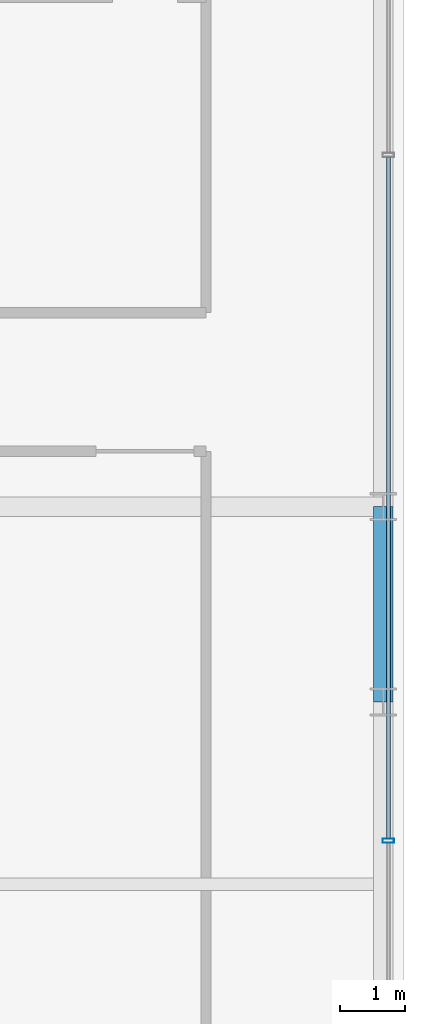
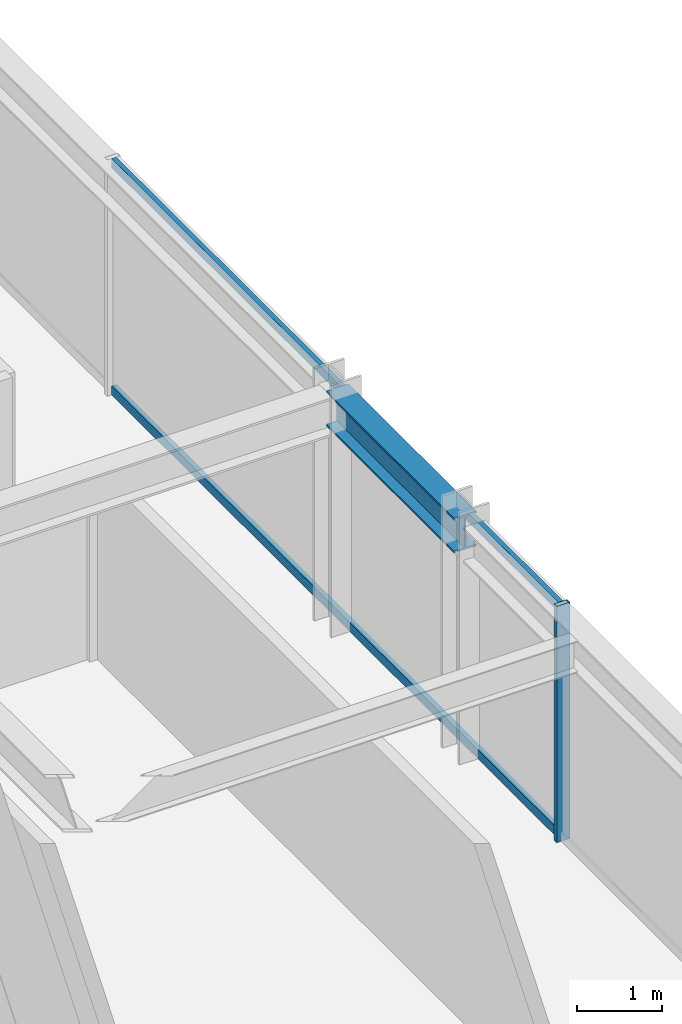
# One storey, part 15 of 32: 3 members, 1 beam, 1 element without a shape of its own.
"""IFC4 building model written with IfcOpenShell, lengths in metres."""

import ifcopenshell
import ifcopenshell.guid

model = None  # the IFC model being written
_history = None  # IfcOwnerHistory: only IFC2X3 demands one
_inside = {}  # id of a spatial element -> (the spatial element, [elements in it])
_under = {}  # id of a project, library or spatial element -> (it, [spatial elements below it])
_declared = {}  # id of a project -> (the project, [libraries it declares])
_typed = {}  # id of a type object -> (the type object, [elements of that type])
_made_of = {}  # id of a material, layer set ... -> (it, [elements and type objects made of it])


def new_model(schema):
    """Start an empty IFC model of exactly this schema.

    Asked for "IFC4X3", IfcOpenShell would pick the latest addendum, in which some entities
    have other attributes; the version numbers below select the first issue.
    IFC2X3 requires an IfcOwnerHistory on every rooted entity: one is made here for all.
    """
    global model, _history
    if schema == "IFC4X3":
        model = ifcopenshell.file(schema_version=(4, 3, 0, 0))
    else:
        model = ifcopenshell.file(schema=schema)
    _inside.clear()
    _under.clear()
    _declared.clear()
    _typed.clear()
    _made_of.clear()
    _history = None
    if model.schema == "IFC2X3":
        org = make("IfcOrganization", Name="unknown")
        user = make(
            "IfcPersonAndOrganization",
            ThePerson=make("IfcPerson", FamilyName="unknown"),
            TheOrganization=org,
        )
        app = make(
            "IfcApplication",
            ApplicationDeveloper=org,
            Version="unknown",
            ApplicationFullName="unknown",
            ApplicationIdentifier="unknown",
        )
        _history = make(
            "IfcOwnerHistory",
            OwningUser=user,
            OwningApplication=app,
            ChangeAction="ADDED",
            CreationDate=0,
        )
    return model


def make(cls, **values):
    """One entity of the class cls with the attributes given. An attribute that is None is left unset."""
    return model.create_entity(
        cls, **{name: value for name, value in values.items() if value is not None}
    )


def rooted(cls, **values):
    """An entity with a GlobalId (a new one), such as an element, a storey or a relation."""
    return make(cls, GlobalId=ifcopenshell.guid.new(), OwnerHistory=_history, **values)


def si_unit(unit_type, name, prefix=None):
    """IfcSIUnit, for example si_unit("LENGTHUNIT", "METRE", prefix="MILLI")."""
    return make("IfcSIUnit", UnitType=unit_type, Prefix=prefix, Name=name)


def assignment(units):
    """IfcUnitAssignment: the units of a project."""
    return None if units is None else make("IfcUnitAssignment", Units=units)


def point(xyz):
    """IfcCartesianPoint."""
    return None if xyz is None else make("IfcCartesianPoint", Coordinates=xyz)


def direction(xyz):
    """IfcDirection."""
    return None if xyz is None else make("IfcDirection", DirectionRatios=xyz)


def frame(location, z_axis=None, x_axis=None):
    """IfcAxis2Placement3D, a coordinate frame: its origin and axes. An axis left out is left unset."""
    return make(
        "IfcAxis2Placement3D",
        Location=point(location),
        Axis=direction(z_axis),
        RefDirection=direction(x_axis),
    )


def frame_2d(location, x_axis=None):
    """IfcAxis2Placement2D, a coordinate frame in the plane: its origin and x axis."""
    return make(
        "IfcAxis2Placement2D", Location=point(location), RefDirection=direction(x_axis)
    )


def origin():
    """The frame at (0, 0, 0) with its axes left unset."""
    return frame((0.0, 0.0, 0.0))


def origin_2d():
    """The frame at (0, 0) in the plane with its x axis left unset."""
    return frame_2d((0.0, 0.0))


def place(relative_to, where):
    """IfcLocalPlacement: puts the frame where relative to a parent placement (None: the world)."""
    return make(
        "IfcLocalPlacement", PlacementRelTo=relative_to, RelativePlacement=where
    )


def context(
    kind, dimensions, precision=None, world=None, true_north=None, identifier=None
):
    """IfcGeometricRepresentationContext, for example the 3D "Model" context."""
    return make(
        "IfcGeometricRepresentationContext",
        ContextIdentifier=identifier,
        ContextType=kind,
        CoordinateSpaceDimension=dimensions,
        Precision=precision,
        WorldCoordinateSystem=world,
        TrueNorth=true_north,
    )


def subcontext(parent, identifier, kind, view, scale=None):
    """IfcGeometricRepresentationSubContext, for example "Body" below "Model"."""
    return make(
        "IfcGeometricRepresentationSubContext",
        ContextIdentifier=identifier,
        ContextType=kind,
        ParentContext=parent,
        TargetScale=scale,
        TargetView=view,
    )


def project(units=None, contexts=None):
    """IfcProject with its units and contexts."""
    return rooted(
        "IfcProject",
        Name="project",
        RepresentationContexts=contexts,
        UnitsInContext=assignment(units),
    )


def spatial(cls, under=None, at=None, **own):
    """A site, building, storey or space (cls), placed at a placement, below another one or the project."""
    s = rooted(cls, ObjectPlacement=at, **own)
    if under is not None:
        _under.setdefault(under.id(), (under, []))[1].append(s)
    return s


def profile(cls, at=None, kind="AREA", **sizes):
    """A parametric profile (cls). Its sizes go by their IFC names, for example OverallWidth=200.0."""
    return make(cls, ProfileType=kind, Position=at, **sizes)


def hollow_rectangle(**sizes):
    """IfcRectangleHollowProfileDef."""
    return profile("IfcRectangleHollowProfileDef", **sizes)


def i_section(**sizes):
    """IfcIShapeProfileDef."""
    return profile("IfcIShapeProfileDef", **sizes)


def extrude(swept, where, along, depth):
    """IfcExtrudedAreaSolid: the profile swept, set in the frame where, extruded along a direction by depth."""
    return make(
        "IfcExtrudedAreaSolid",
        SweptArea=swept,
        Position=where,
        ExtrudedDirection=direction(along),
        Depth=depth,
    )


def shape(context_of_items, identifier, shape_type, items):
    """IfcShapeRepresentation: the items that make up one representation, for example the "Body"."""
    return make(
        "IfcShapeRepresentation",
        ContextOfItems=context_of_items,
        RepresentationIdentifier=identifier,
        RepresentationType=shape_type,
        Items=items,
    )


def source(mapping_origin, context_of_items, identifier, shape_type, items):
    """IfcRepresentationMap: a shape defined once, which mapped items show again and again."""
    return make(
        "IfcRepresentationMap",
        MappingOrigin=mapping_origin,
        MappedRepresentation=shape(context_of_items, identifier, shape_type, items),
    )


def transform(
    local_origin,
    x_axis=None,
    y_axis=None,
    z_axis=None,
    scale=None,
    scale2=None,
    scale3=None,
    uniform=True,
):
    """IfcCartesianTransformationOperator3D, or its non-uniform kind. x_axis, y_axis, z_axis: its Axis1, 2, 3."""
    if uniform:
        return make(
            "IfcCartesianTransformationOperator3D",
            Axis1=direction(x_axis),
            Axis2=direction(y_axis),
            LocalOrigin=point(local_origin),
            Scale=scale,
            Axis3=direction(z_axis),
        )
    return make(
        "IfcCartesianTransformationOperator3DnonUniform",
        Axis1=direction(x_axis),
        Axis2=direction(y_axis),
        LocalOrigin=point(local_origin),
        Scale=scale,
        Axis3=direction(z_axis),
        Scale2=scale2,
        Scale3=scale3,
    )


def mapped(mapping_source, mapping_target):
    """IfcMappedItem: shows the shape of a source again, moved by a transform."""
    return make(
        "IfcMappedItem", MappingSource=mapping_source, MappingTarget=mapping_target
    )


def material(Name=None, Category=None):
    """IfcMaterial."""
    return make("IfcMaterial", Name=Name, Category=Category)


def material_profile(
    of_material, cross_section, Name=None, Category=None, Priority=None
):
    """IfcMaterialProfile: a cross section and its material."""
    return make(
        "IfcMaterialProfile",
        Name=Name,
        Material=of_material,
        Profile=cross_section,
        Priority=Priority,
        Category=Category,
    )


def profile_set(profiles, Name=None, composite=None):
    """IfcMaterialProfileSet."""
    return make(
        "IfcMaterialProfileSet",
        Name=Name,
        MaterialProfiles=profiles,
        CompositeProfile=composite,
    )


def made_of(thing, what):
    """Note that an element or type object is made of a material, layer set ...; save() writes the relation."""
    if what is not None:
        _made_of.setdefault(what.id(), (what, []))[1].append(thing)
    return thing


def type_object(cls, material=None, **own):
    """A type object (cls), such as IfcWallType, which elements share."""
    return made_of(rooted(cls, **own), material)


def element(
    cls,
    number,
    at=None,
    inside=None,
    cuts=None,
    type_object=None,
    material=None,
    context=None,
    identifier="Body",
    shape_type=None,
    held_by="IfcProductDefinitionShape",
    body=None,
    shapes=None,
    **own,
):
    """One element of the class cls, such as IfcWall. Its Tag is "e" and its number.

    at: its placement. inside: the storey or other place that contains it. cuts: it is an
    opening in that element (IfcRelVoidsElement). A single representation is given by context,
    identifier, shape_type and body (its items); several are given by shapes. held_by: the class
    of the entity that holds the representations. save() writes the other relations.
    """
    e = rooted(cls, Tag="e%d" % number, ObjectPlacement=at, **own)
    if body is not None:
        shapes = [shape(context, identifier, shape_type, body)]
    if shapes is not None:
        e.Representation = make(held_by, Representations=shapes)
    if inside is not None:
        _inside.setdefault(inside.id(), (inside, []))[1].append(e)
    if cuts is not None:
        rooted(
            "IfcRelVoidsElement", RelatingBuildingElement=cuts, RelatedOpeningElement=e
        )
    if type_object is not None:
        _typed.setdefault(type_object.id(), (type_object, []))[1].append(e)
    return made_of(e, material)


def aggregate(whole, parts):
    """IfcRelAggregates: a whole, such as a stair, and the parts it consists of."""
    return rooted("IfcRelAggregates", RelatingObject=whole, RelatedObjects=parts)


def save(model, path):
    """Write the relations noted so far, then the file.

    IfcRelAggregates (storeys below a building ...), IfcRelContainedInSpatialStructure (elements
    in a storey), IfcRelDefinesByType, IfcRelAssociatesMaterial and IfcRelDeclares: one each for
    every whole, place, type object, material and project.
    """
    for whole, parts in _under.values():
        aggregate(whole, parts)
    for where, things in _inside.values():
        rooted(
            "IfcRelContainedInSpatialStructure",
            RelatedElements=things,
            RelatingStructure=where,
        )
    for kind, things in _typed.values():
        rooted("IfcRelDefinesByType", RelatedObjects=things, RelatingType=kind)
    for what, things in _made_of.values():
        rooted("IfcRelAssociatesMaterial", RelatedObjects=things, RelatingMaterial=what)
    for by, libraries in _declared.values():
        rooted("IfcRelDeclares", RelatingContext=by, RelatedDefinitions=libraries)
    model.write(path)


model = new_model("IFC4")

# Units and contexts
model_context = context("Model", 3, precision=1e-05, world=origin(), true_north=direction((0.0, 1.0)))
body_context = subcontext(model_context, "Body", "Model", "MODEL_VIEW")
ifc_project = project(units=[si_unit("LENGTHUNIT", "METRE"), si_unit("AREAUNIT", "SQUARE_METRE"), si_unit("VOLUMEUNIT", "CUBIC_METRE"), si_unit("PLANEANGLEUNIT", "RADIAN"), si_unit("MASSUNIT", "GRAM", prefix="KILO")], contexts=[model_context])

# Site, building, storey
site_placement = place(None, origin())
site = spatial("IfcSite", under=ifc_project, at=site_placement, CompositionType="ELEMENT")
building_placement = place(site_placement, origin())
building = spatial("IfcBuilding", under=site, at=building_placement, Name="Nahalor Promenade Grand Hotel", CompositionType="ELEMENT")
storey_placement = place(building_placement, frame((0.0, 0.0, 110.199951171875)))
storey = spatial("IfcBuildingStorey", under=building, at=storey_placement, Name="L27", CompositionType="ELEMENT", Elevation=110.199951171875)

# Beam
ifc_material_1 = material(Name="Steel S355JR", Category="steel")
ifc_material_profile_1 = material_profile(ifc_material_1, i_section(OverallWidth=0.3, OverallDepth=0.5, WebThickness=0.0145, FlangeThickness=0.028, at=origin_2d()), Name="HEB 500")
ifc_profile_set_1 = profile_set([ifc_material_profile_1], Name="Steel S355JR")
beam_type = type_object("IfcBeamType", Name="Beam-Spandrel-HEB500", PredefinedType="SPANDREL", material=ifc_profile_set_1)
shared_shape_1 = source(origin(), body_context, "Body", "SweptSolid", [
    extrude(i_section(OverallWidth=0.3, OverallDepth=0.5, WebThickness=0.0145, FlangeThickness=0.028, at=origin_2d()), origin(), (0.0, 0.0, 1.0), 3.0),
])
beam_placement = place(storey_placement, frame((23.780029296875, -8.39990234375, 3.130126953125), z_axis=(0.0, 1.0, 0.0), x_axis=(-1.0, 0.0, 0.0)))
element("IfcBeam", 1, at=beam_placement, inside=storey, type_object=beam_type, Name="BM-L27-SP-E-1", PredefinedType="SPANDREL", context=body_context, shape_type="MappedRepresentation", body=[
    mapped(shared_shape_1, transform((0.0, 0.0, 0.0), scale=1.0)),
])

# Curtain wall, members
ifc_material_2 = material(Name="Anodised Bronze Aluminium EN AW-6063 T6", Category="aluminium")
curtain_wall_type = type_object("IfcCurtainWallType", Name="CW2 Typical Hotel Flush Bronze Unitised Curtain Wall", PredefinedType="USERDEFINED", material=ifc_material_2)
curtain_wall_placement = place(storey_placement, origin())
curtain_wall = element("IfcCurtainWall", 2, at=curtain_wall_placement, inside=storey, type_object=curtain_wall_type, Name="L27 Curtain Wall CW-L27-E-1", ObjectType="UNITISED_CURTAIN_WALL", PredefinedType="USERDEFINED")
ifc_material_profile_2 = material_profile(ifc_material_2, hollow_rectangle(XDim=0.065, YDim=0.13, WallThickness=0.004, at=origin_2d()), Name="CWT 65x130x4")
ifc_profile_set_2 = profile_set([ifc_material_profile_2], Name="Anodised Bronze Aluminium EN AW-6063 T6")
member_type_1 = type_object("IfcMemberType", Name="CWT2 Typical Bronze Transom 65x130", PredefinedType="USERDEFINED", material=ifc_profile_set_2)
shared_shape_2 = source(origin(), body_context, "Body", "SweptSolid", [
    extrude(hollow_rectangle(XDim=0.065, YDim=0.13, WallThickness=0.004, at=origin_2d()), origin(), (0.0, 0.0, 1.0), 10.465087890625),
])
member_1_placement = place(storey_placement, frame((23.860107421875, -10.49755859375, 0.06494140625), z_axis=(0.0, 1.0, 0.0), x_axis=(-1.0, 0.0, 0.0)))
member_1 = element("IfcMember", 3, at=member_1_placement, type_object=member_type_1, Name="CW-L27-E-1 Transom 1-0", ObjectType="TRANSOM", PredefinedType="USERDEFINED", context=body_context, shape_type="MappedRepresentation", body=[
    mapped(shared_shape_2, transform((0.0, 0.0, 0.0), scale=1.0)),
])
member_2_placement = place(storey_placement, frame((23.860107421875, -10.49755859375, 3.31494140625), z_axis=(0.0, 1.0, 0.0), x_axis=(-1.0, 0.0, 0.0)))
member_2 = element("IfcMember", 4, at=member_2_placement, type_object=member_type_1, Name="CW-L27-E-1 Transom 1-1", ObjectType="TRANSOM", PredefinedType="USERDEFINED", context=body_context, shape_type="MappedRepresentation", body=[
    mapped(shared_shape_2, transform((0.0, 0.0, 0.0), scale=1.0)),
])
ifc_material_profile_3 = material_profile(ifc_material_2, hollow_rectangle(XDim=0.065, YDim=0.18, WallThickness=0.004, at=origin_2d()), Name="CWM 65x180x4")
ifc_profile_set_3 = profile_set([ifc_material_profile_3], Name="Anodised Bronze Aluminium EN AW-6063 T6")
member_type_2 = type_object("IfcMemberType", Name="CWM2 Typical Bronze Mullion 65x180", PredefinedType="MULLION", material=ifc_profile_set_3)
shared_shape_3 = source(origin(), body_context, "Body", "SweptSolid", [
    extrude(hollow_rectangle(XDim=0.065, YDim=0.18, WallThickness=0.004, at=origin_2d()), origin(), (0.0, 0.0, 1.0), 3.380126953125),
])
member_3_placement = place(storey_placement, frame((23.860107421875, -10.530029296875, 0.0), z_axis=(0.0, 0.0, 1.0), x_axis=(0.0, 1.0, 0.0)))
member_3 = element("IfcMember", 5, at=member_3_placement, type_object=member_type_2, Name="CW-L27-E-1 Mullion 1", PredefinedType="MULLION", context=body_context, shape_type="MappedRepresentation", body=[
    mapped(shared_shape_3, transform((0.0, 0.0, 0.0), scale=1.0)),
])
aggregate(curtain_wall, [member_3, member_1, member_2])

save(model, "model.ifc")
